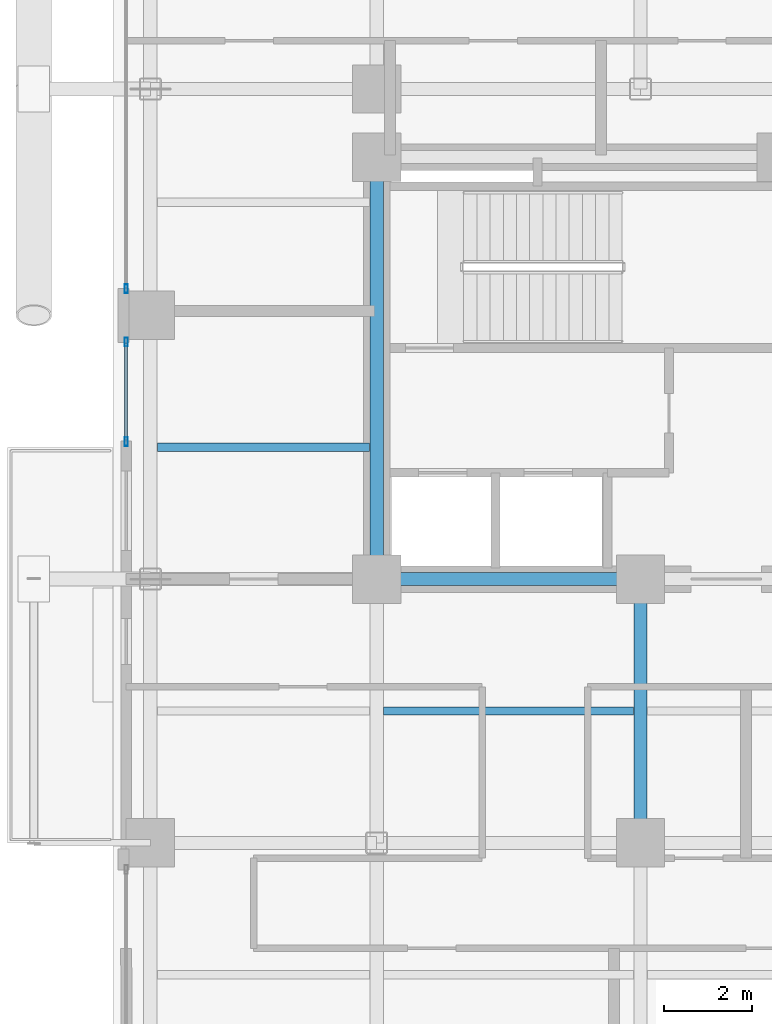
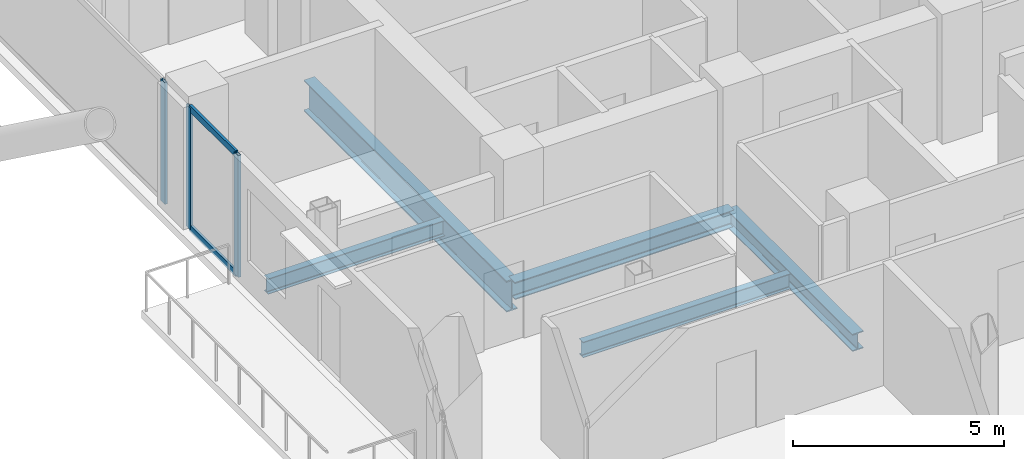
# One storey, part 6 of 24: 5 beams, 5 members, 2 elements without a shape of their own.
"""IFC4 building model written with IfcOpenShell, lengths in metres."""

from ifc_helpers import new_model, si_unit, direction, frame, origin, origin_2d, place, context, subcontext, project, spatial, hollow_rectangle, i_section, extrude, material, layer, layer_set, material_profile, profile_set, type_object, element, aggregate, save


model = new_model("IFC4")

# Units and contexts
model_context = context("Model", 3, precision=1e-05, world=origin(), true_north=direction((0.0, 1.0)))
body_context = subcontext(model_context, "Body", "Model", "MODEL_VIEW")
ifc_project = project(units=[si_unit("LENGTHUNIT", "METRE"), si_unit("AREAUNIT", "SQUARE_METRE"), si_unit("VOLUMEUNIT", "CUBIC_METRE"), si_unit("PLANEANGLEUNIT", "RADIAN"), si_unit("MASSUNIT", "GRAM", prefix="KILO"), si_unit("THERMODYNAMICTEMPERATUREUNIT", "KELVIN"), si_unit("POWERUNIT", "WATT")], contexts=[model_context])

# Site, building, storey
site_placement = place(None, origin())
site = spatial("IfcSite", under=ifc_project, at=site_placement, CompositionType="ELEMENT")
building_placement = place(site_placement, origin())
building = spatial("IfcBuilding", under=site, at=building_placement, Name="Svarakhadi Broadcast Tower", CompositionType="ELEMENT")
storey_placement = place(building_placement, frame((0.0, 0.0, 126.89990234375)))
storey = spatial("IfcBuildingStorey", under=building, at=storey_placement, Name="L30", CompositionType="ELEMENT", Elevation=126.89990234375)

# Beams
ifc_material_1 = material(Name="Steel S355J2 (IS 2062 E350C)", Category="steel")
ifc_material_profile_1 = material_profile(ifc_material_1, i_section(OverallWidth=0.18994140625, OverallDepth=0.449951171875, WebThickness=0.009521484375, FlangeThickness=0.0146484375, FilletRadius=0.02099609375, at=origin_2d()), Name="NPB 450x190x78")
ifc_profile_set_1 = profile_set([ifc_material_profile_1], Name="Steel S355J2 (IS 2062 E350C)")
beam_type_1 = type_object("IfcBeamType", Name="Beam_NPB450", PredefinedType="BEAM", material=ifc_profile_set_1)
beam_1_placement = place(storey_placement, frame((1.010009765625, 21.0, -0.449951171875), z_axis=(1.0, 0.0, 0.0), x_axis=(0.0, 1.0, 0.0)))
element("IfcBeam", 1, at=beam_1_placement, inside=storey, type_object=beam_type_1, Name="L30 Secondary Composite Beam SB003", PredefinedType="BEAM", context=body_context, shape_type="SweptSolid", body=[
    extrude(i_section(OverallWidth=0.18994140625, OverallDepth=0.449951171875, WebThickness=0.009521484375, FlangeThickness=0.0146484375, FilletRadius=0.02099609375, at=origin_2d()), origin(), (0.0, 0.0, 1.0), 4.830078125),
])
beam_2_placement = place(storey_placement, frame((6.159912109375, 15.0, -0.449951171875), z_axis=(1.0, 0.0, 0.0), x_axis=(0.0, 1.0, 0.0)))
element("IfcBeam", 2, at=beam_2_placement, inside=storey, type_object=beam_type_1, Name="L30 Secondary Composite Beam SB008", PredefinedType="BEAM", context=body_context, shape_type="SweptSolid", body=[
    extrude(i_section(OverallWidth=0.18994140625, OverallDepth=0.449951171875, WebThickness=0.009521484375, FlangeThickness=0.0146484375, FilletRadius=0.02099609375, at=origin_2d()), origin(), (0.0, 0.0, 1.0), 5.68017578125),
])

# Curtain wall, members
ifc_material_2 = material(Name="Anodised Bronze Aluminium AA 6063-T6", Category="aluminium")
ifc_layer = layer(ifc_material_2, 0.199951171875)
ifc_layer_set = layer_set([ifc_layer], Name="Anodised Bronze Aluminium AA 6063-T6")
curtain_wall_type = type_object("IfcCurtainWallType", Name="CW_Sys_03", PredefinedType="NOTDEFINED", material=ifc_layer_set)
curtain_wall_1_placement = place(storey_placement, origin())
curtain_wall_1 = element("IfcCurtainWall", 3, at=curtain_wall_1_placement, inside=storey, type_object=curtain_wall_type, Name="L30 West Curtain Wall 03 Bay 1", PredefinedType="NOTDEFINED")
ifc_material_profile_2 = material_profile(ifc_material_2, hollow_rectangle(XDim=0.074951171875, YDim=0.199951171875, WallThickness=0.005615234375, at=origin_2d()), Name="ALU MULLION 200x75x6")
ifc_profile_set_2 = profile_set([ifc_material_profile_2], Name="Anodised Bronze Aluminium AA 6063-T6")
member_type_1 = type_object("IfcMemberType", Name="CW_Sys_03_Mul", PredefinedType="MULLION", material=ifc_profile_set_2)
member_1_placement = place(storey_placement, frame((0.300048828125, 21.12744140625, 0.0), z_axis=(0.0, 0.0, 1.0), x_axis=(-1.0, 0.0, 0.0)))
member_1 = element("IfcMember", 4, at=member_1_placement, type_object=member_type_1, Name="CW-03 mullion 1", PredefinedType="MULLION", context=body_context, shape_type="SweptSolid", body=[
    extrude(hollow_rectangle(XDim=0.074951171875, YDim=0.199951171875, WallThickness=0.005615234375, at=origin_2d()), origin(), (0.0, 0.0, 1.0), 3.525146484375),
])
member_2_placement = place(storey_placement, frame((0.300048828125, 23.392578125, 0.0), z_axis=(0.0, 0.0, 1.0), x_axis=(-1.0, 0.0, 0.0)))
member_2 = element("IfcMember", 5, at=member_2_placement, type_object=member_type_1, Name="CW-03 mullion 2", PredefinedType="MULLION", context=body_context, shape_type="SweptSolid", body=[
    extrude(hollow_rectangle(XDim=0.074951171875, YDim=0.199951171875, WallThickness=0.005615234375, at=origin_2d()), origin(), (0.0, 0.0, 1.0), 3.525146484375),
])

# Curtain wall, member
curtain_wall_2_placement = place(storey_placement, origin())
curtain_wall_2 = element("IfcCurtainWall", 6, at=curtain_wall_2_placement, inside=storey, type_object=curtain_wall_type, Name="L30 West Curtain Wall 03 Bay 2", PredefinedType="NOTDEFINED")
member_3_placement = place(storey_placement, frame((0.300048828125, 24.607421875, 0.0), z_axis=(0.0, 0.0, 1.0), x_axis=(-1.0, 0.0, 0.0)))
member_3 = element("IfcMember", 7, at=member_3_placement, type_object=member_type_1, Name="CW-03 mullion 1", PredefinedType="MULLION", context=body_context, shape_type="SweptSolid", body=[
    extrude(hollow_rectangle(XDim=0.074951171875, YDim=0.199951171875, WallThickness=0.005615234375, at=origin_2d()), origin(), (0.0, 0.0, 1.0), 3.525146484375),
])
aggregate(curtain_wall_2, [member_3])

# Member
ifc_material_profile_3 = material_profile(ifc_material_2, hollow_rectangle(XDim=0.070068359375, YDim=0.18505859375, WallThickness=0.0048828125, at=origin_2d()), Name="ALU TRANSOM 185x70x5")
ifc_profile_set_3 = profile_set([ifc_material_profile_3], Name="Anodised Bronze Aluminium AA 6063-T6")
member_type_2 = type_object("IfcMemberType", Name="CW_Sys_03_Trn", PredefinedType="USERDEFINED", material=ifc_profile_set_3)
member_4_placement = place(storey_placement, frame((0.300048828125, 21.1650390625, 0.03515625), z_axis=(0.0, 1.0, 0.0), x_axis=(-1.0, 0.0, 0.0)))
member_4 = element("IfcMember", 8, at=member_4_placement, type_object=member_type_2, Name="CW-03 transom 1.1", ObjectType="TRANSOM", PredefinedType="USERDEFINED", context=body_context, shape_type="SweptSolid", body=[
    extrude(hollow_rectangle(XDim=0.070068359375, YDim=0.18505859375, WallThickness=0.0048828125, at=origin_2d()), origin(), (0.0, 0.0, 1.0), 2.18994140625),
])

member_5_placement = place(storey_placement, frame((0.300048828125, 21.1650390625, 3.489990234375), z_axis=(0.0, 1.0, 0.0), x_axis=(-1.0, 0.0, 0.0)))
member_5 = element("IfcMember", 9, at=member_5_placement, type_object=member_type_2, Name="CW-03 transom 1.2", ObjectType="TRANSOM", PredefinedType="USERDEFINED", context=body_context, shape_type="SweptSolid", body=[
    extrude(hollow_rectangle(XDim=0.070068359375, YDim=0.18505859375, WallThickness=0.0048828125, at=origin_2d()), origin(), (0.0, 0.0, 1.0), 2.18994140625),
])

aggregate(curtain_wall_1, [member_1, member_2, member_4, member_5])

# Beams
ifc_material_profile_4 = material_profile(ifc_material_1, i_section(OverallWidth=0.300048828125, OverallDepth=0.5, WebThickness=0.014404296875, FlangeThickness=0.028076171875, FilletRadius=0.027099609375, at=origin_2d()), Name="WPB 500x300x187")
ifc_profile_set_4 = profile_set([ifc_material_profile_4], Name="Steel S355J2 (IS 2062 E350C)")
beam_type_2 = type_object("IfcBeamType", Name="Girder_WPB500", PredefinedType="USERDEFINED", material=ifc_profile_set_4)
for number, where, z_axis, x_axis, name in (
    (10, (6.0, 18.0, -0.474853515625), (1.0, 0.0, 0.0), (0.0, 1.0, 0.0), "L30 Primary E-W Girder G024"),
    (11, (12.0, 12.0, -0.474853515625), (0.0, 1.0, 0.0), (-1.0, 0.0, 0.0), "L30 Primary N-S Girder G053"),
):
    element("IfcBeam", number, at=place(storey_placement, frame(where, z_axis=z_axis, x_axis=x_axis)), inside=storey, type_object=beam_type_2, Name=name, ObjectType="GIRDER", PredefinedType="USERDEFINED", context=body_context, shape_type="SweptSolid", body=[
        extrude(i_section(OverallWidth=0.300048828125, OverallDepth=0.5, WebThickness=0.014404296875, FlangeThickness=0.028076171875, FilletRadius=0.027099609375, at=origin_2d()), origin(), (0.0, 0.0, 1.0), 6.0),
    ])
ifc_material_3 = material(Name="Steel S460ML (IS 2062 E450BR)", Category="steel")
ifc_material_profile_5 = material_profile(ifc_material_3, i_section(OverallWidth=0.300048828125, OverallDepth=0.89990234375, WebThickness=0.0185546875, FlangeThickness=0.034912109375, FilletRadius=0.030029296875, at=origin_2d()), Name="WPB 900x300x291")
ifc_profile_set_5 = profile_set([ifc_material_profile_5], Name="Steel S460ML (IS 2062 E450BR)")
beam_type_3 = type_object("IfcBeamType", Name="Girder_WPB900", PredefinedType="USERDEFINED", material=ifc_profile_set_5)
beam_3_placement = place(storey_placement, frame((6.0, 18.0, -0.6748046875), z_axis=(0.0, 1.0, 0.0), x_axis=(-1.0, 0.0, 0.0)))
element("IfcBeam", 12, at=beam_3_placement, inside=storey, type_object=beam_type_3, Name="L30 Primary N-S Girder G048", ObjectType="GIRDER", PredefinedType="USERDEFINED", context=body_context, shape_type="SweptSolid", body=[
    extrude(i_section(OverallWidth=0.300048828125, OverallDepth=0.89990234375, WebThickness=0.0185546875, FlangeThickness=0.034912109375, FilletRadius=0.030029296875, at=origin_2d()), origin(), (0.0, 0.0, 1.0), 9.60009765625),
])

save(model, "model.ifc")
